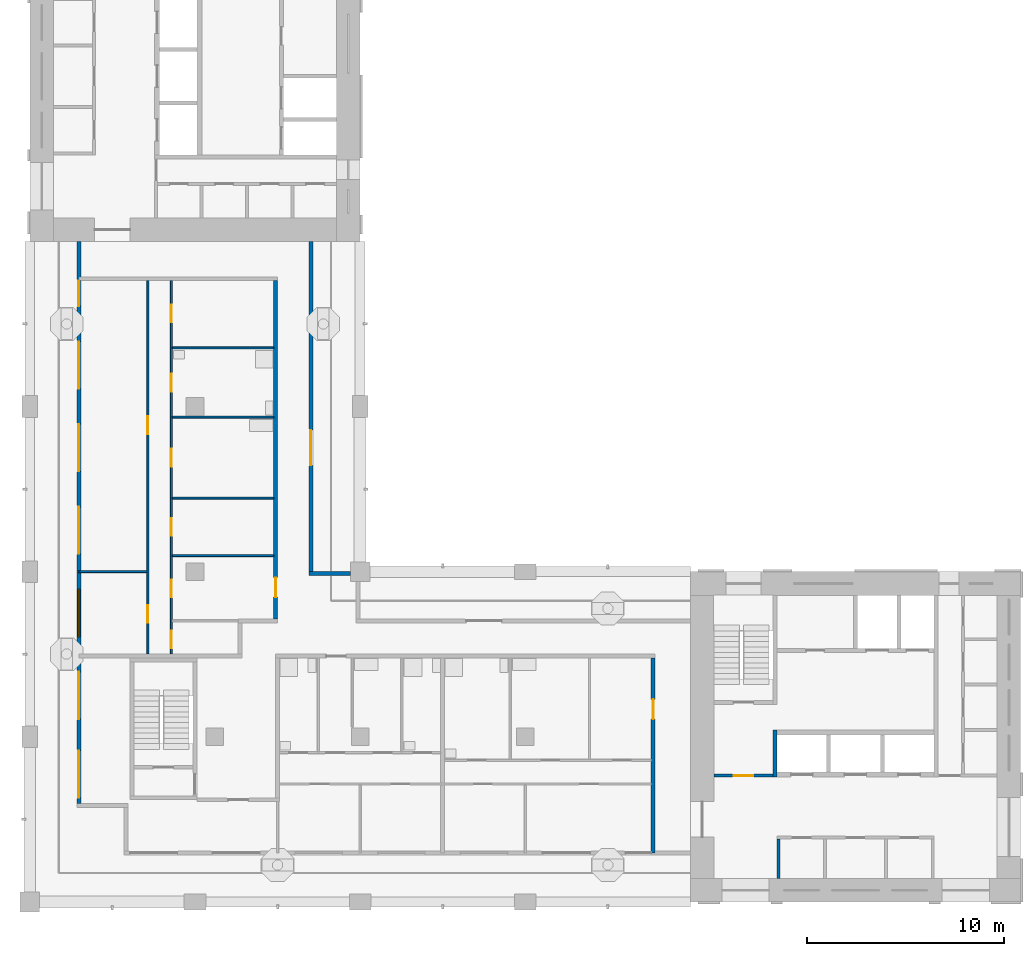
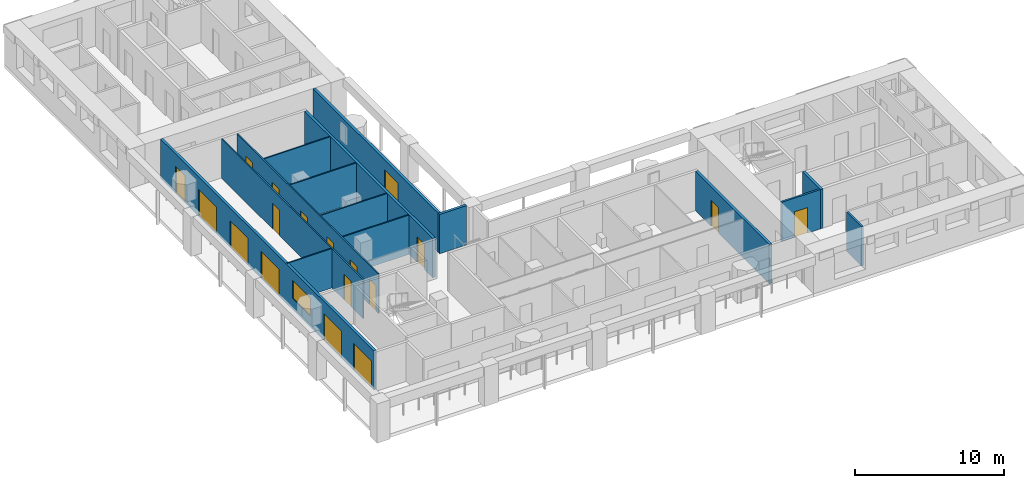
# One storey, part 3 of 12: 18 doors, 15 walls, 1 window, 19 openings.
"""IFC4 building model written with IfcOpenShell, lengths in metres."""

from ifc_helpers import new_model, si_unit, direction, frame, frame_2d, origin, place, context, subcontext, project, spatial, rectangle, extrude, material, layer, layer_set, type_object, element, fill, save


model = new_model("IFC4")

# Units and contexts
model_context = context("Model", 3, precision=1e-05, world=origin(), true_north=direction((0.0, 1.0)))
body_context = subcontext(model_context, "Body", "Model", "MODEL_VIEW")
ifc_project = project(units=[si_unit("LENGTHUNIT", "METRE"), si_unit("AREAUNIT", "SQUARE_METRE"), si_unit("VOLUMEUNIT", "CUBIC_METRE"), si_unit("PLANEANGLEUNIT", "RADIAN"), si_unit("MASSUNIT", "GRAM", prefix="KILO")], contexts=[model_context])

# Site, building, storey
site_placement = place(None, origin())
site = spatial("IfcSite", under=ifc_project, at=site_placement, CompositionType="ELEMENT")
building_placement = place(site_placement, origin())
building = spatial("IfcBuilding", under=site, at=building_placement, Name="Vermilion Gate Residences", CompositionType="ELEMENT")
storey_placement = place(building_placement, frame((0.0, 0.0, 235.199951171875)))
storey = spatial("IfcBuildingStorey", under=building, at=storey_placement, Name="L61", CompositionType="ELEMENT", Elevation=235.199951171875)

# Wall
ifc_material_1 = material(Name="Masonry blockwork", Category="masonry")
ifc_layer_1 = layer(ifc_material_1, 0.14990234375)
ifc_layer_set_1 = layer_set([ifc_layer_1], Name="BLOCKWORK PARTITION 150 EI 120")
wall_type_1 = type_object("IfcWallType", Name="BLOCKWORK PARTITION 150 EI 120", PredefinedType="PARTITIONING", material=ifc_layer_set_1)
wall_1_placement = place(storey_placement, frame((46.47509765625, 9.60009765625, 0.0), z_axis=(0.0, 0.0, 1.0), x_axis=(0.0, 1.0, 0.0)))
element("IfcWall", 1, at=wall_1_placement, inside=storey, type_object=wall_type_1, Name="Core room partition A61-RW-W", PredefinedType="PARTITIONING", context=body_context, shape_type="SweptSolid", body=[
    extrude(rectangle(XDim=2.0, YDim=0.14990234375, at=frame_2d((1.0, 0.0))), origin(), (0.0, 0.0, 1.0), 3.219970703125),
])

# Wall, opening, door
wall_2_placement = place(storey_placement, frame((43.199951171875, 14.824951171875, 0.0), z_axis=(0.0, 0.0, 1.0), x_axis=(1.0, 0.0, 0.0)))
wall_2 = element("IfcWall", 2, at=wall_2_placement, inside=storey, type_object=wall_type_1, Name="Core room partition A61-VW-S", PredefinedType="PARTITIONING", context=body_context, shape_type="SweptSolid", body=[
    extrude(rectangle(XDim=3.0, YDim=0.14990234375, at=frame_2d((1.5, 0.0))), origin(), (0.0, 0.0, 1.0), 3.219970703125),
])
opening_1_placement = place(wall_2_placement, frame((1.0, 0.0, 0.0)))
opening_1 = element("IfcOpeningElement", 3, at=opening_1_placement, cuts=wall_2, Name="Opening DK61011", PredefinedType="OPENING", context=body_context, shape_type="SweptSolid", body=[
    extrude(rectangle(XDim=1.0, YDim=2.10009765625, at=frame_2d((0.5, 1.050048828125))), frame((0.0, 0.0849609375, 0.0), z_axis=(0.0, -1.0, 0.0), x_axis=(1.0, 0.0, 0.0)), (0.0, 0.0, 1.0), 0.169921875),
])
ifc_material_2 = material(Name="Steel", Category="steel")
door_type_1 = type_object("IfcDoorType", Name="FIRE DOOR FD60 1000 X 2100", OperationType="SINGLE_SWING_LEFT", PredefinedType="DOOR", material=ifc_material_2)
door_1_placement = place(opening_1_placement, frame((1.0, 0.0, 0.0), z_axis=(0.0, 0.0, 1.0), x_axis=(-1.0, 0.0, 0.0)))
door_1 = element("IfcDoor", 4, at=door_1_placement, inside=storey, type_object=door_type_1, Name="Stair vestibule door A61", OperationType="SINGLE_SWING_RIGHT", OverallHeight=2.10009765625, OverallWidth=1.0, PredefinedType="DOOR", context=body_context, shape_type="SweptSolid", body=[
    extrude(rectangle(XDim=1.0, YDim=2.10009765625, at=frame_2d((0.5, 1.050048828125))), frame((0.0, 0.02490234375, 0.0), z_axis=(0.0, -1.0, 0.0), x_axis=(1.0, 0.0, 0.0)), (0.0, 0.0, 1.0), 0.050048828125),
])
fill(opening_1, door_1)

# Wall, openings, doors, window
ifc_material_3 = material(Name="Insulated steel stud wall with terracotta rainscreen", Category="masonry")
ifc_layer_2 = layer(ifc_material_3, 0.199951171875)
ifc_layer_set_2 = layer_set([ifc_layer_2], Name="EXTERNAL WALL 200 TERRACOTTA RAINSCREEN")
wall_type_2 = type_object("IfcWallType", Name="EXTERNAL WALL 200 TERRACOTTA RAINSCREEN", PredefinedType="SOLIDWALL", material=ifc_layer_set_2)
wall_3_placement = place(storey_placement, frame((10.89990234375, 42.0, 0.0), z_axis=(0.0, 0.0, 1.0), x_axis=(0.0, -1.0, 0.0)))
wall_3 = element("IfcWall", 5, at=wall_3_placement, inside=storey, type_object=wall_type_2, Name="External wall", PredefinedType="SOLIDWALL", context=body_context, shape_type="SweptSolid", body=[
    extrude(rectangle(XDim=28.60009765625, YDim=0.199951171875, at=frame_2d((14.300048828125, 0.0))), origin(), (0.0, 0.0, 1.0), 3.219970703125),
])
opening_2_placement = place(wall_3_placement, frame((25.89990234375, 0.0, 0.0)))
opening_2 = element("IfcOpeningElement", 6, at=opening_2_placement, cuts=wall_3, Name="Opening DE61001", PredefinedType="OPENING", context=body_context, shape_type="SweptSolid", body=[
    extrude(rectangle(XDim=2.39990234375, YDim=2.199951171875, at=frame_2d((1.199951171875, 1.10009765625))), frame((0.0, 0.10986328125, 0.0), z_axis=(0.0, -1.0, 0.0), x_axis=(1.0, 0.0, 0.0)), (0.0, 0.0, 1.0), 0.219970703125),
])
opening_3_placement = place(wall_3_placement, frame((21.89990234375, 0.0, 0.0)))
opening_3 = element("IfcOpeningElement", 7, at=opening_3_placement, cuts=wall_3, Name="Opening DE61002", PredefinedType="OPENING", context=body_context, shape_type="SweptSolid", body=[
    extrude(rectangle(XDim=2.39990234375, YDim=2.199951171875, at=frame_2d((1.199951171875, 1.10009765625))), frame((0.0, 0.10986328125, 0.0), z_axis=(0.0, -1.0, 0.0), x_axis=(1.0, 0.0, 0.0)), (0.0, 0.0, 1.0), 0.219970703125),
])
opening_4_placement = place(wall_3_placement, frame((17.699951171875, 0.0, 0.89990234375)))
opening_4 = element("IfcOpeningElement", 8, at=opening_4_placement, cuts=wall_3, Name="Opening WE61003", PredefinedType="OPENING", context=body_context, shape_type="SweptSolid", body=[
    extrude(rectangle(XDim=2.39990234375, YDim=1.5, at=frame_2d((1.199951171875, 0.75))), frame((0.0, 0.10986328125, 0.0), z_axis=(0.0, -1.0, 0.0), x_axis=(1.0, 0.0, 0.0)), (0.0, 0.0, 1.0), 0.219970703125),
])
opening_5_placement = place(wall_3_placement, frame((13.5, 0.0, 0.0)))
opening_5 = element("IfcOpeningElement", 9, at=opening_5_placement, cuts=wall_3, Name="Opening DE61004", PredefinedType="OPENING", context=body_context, shape_type="SweptSolid", body=[
    extrude(rectangle(XDim=2.39990234375, YDim=2.199951171875, at=frame_2d((1.199951171875, 1.10009765625))), frame((0.0, 0.10986328125, 0.0), z_axis=(0.0, -1.0, 0.0), x_axis=(1.0, 0.0, 0.0)), (0.0, 0.0, 1.0), 0.219970703125),
])
opening_6_placement = place(wall_3_placement, frame((9.300048828125, 0.0, 0.0)))
opening_6 = element("IfcOpeningElement", 10, at=opening_6_placement, cuts=wall_3, Name="Opening DE61005", PredefinedType="OPENING", context=body_context, shape_type="SweptSolid", body=[
    extrude(rectangle(XDim=2.39990234375, YDim=2.199951171875, at=frame_2d((1.199951171875, 1.10009765625))), frame((0.0, 0.10986328125, 0.0), z_axis=(0.0, -1.0, 0.0), x_axis=(1.0, 0.0, 0.0)), (0.0, 0.0, 1.0), 0.219970703125),
])
opening_7_placement = place(wall_3_placement, frame((5.10009765625, 0.0, 0.0)))
opening_7 = element("IfcOpeningElement", 11, at=opening_7_placement, cuts=wall_3, Name="Opening DE61006", PredefinedType="OPENING", context=body_context, shape_type="SweptSolid", body=[
    extrude(rectangle(XDim=2.39990234375, YDim=2.199951171875, at=frame_2d((1.199951171875, 1.10009765625))), frame((0.0, 0.10986328125, 0.0), z_axis=(0.0, -1.0, 0.0), x_axis=(1.0, 0.0, 0.0)), (0.0, 0.0, 1.0), 0.219970703125),
])
opening_8_placement = place(wall_3_placement, frame((2.0, 0.0, 0.0)))
opening_8 = element("IfcOpeningElement", 12, at=opening_8_placement, cuts=wall_3, Name="Opening DE61007", PredefinedType="OPENING", context=body_context, shape_type="SweptSolid", body=[
    extrude(rectangle(XDim=1.300048828125, YDim=2.199951171875, at=frame_2d((0.64990234375, 1.10009765625))), frame((0.0, 0.10986328125, 0.0), z_axis=(0.0, -1.0, 0.0), x_axis=(1.0, 0.0, 0.0)), (0.0, 0.0, 1.0), 0.219970703125),
])
ifc_material_4 = material(Name="Aluminium and clear glass", Category="aluminium")
door_type_2 = type_object("IfcDoorType", Name="SLIDING GLAZED DOOR 1300 X 2200", OperationType="DOUBLE_DOOR_SLIDING", PredefinedType="DOOR", material=ifc_material_4)
door_2_placement = place(opening_8_placement, origin())
door_2 = element("IfcDoor", 13, at=door_2_placement, inside=storey, type_object=door_type_2, Name="Loggia sliding door", OperationType="DOUBLE_DOOR_SLIDING", OverallHeight=2.199951171875, OverallWidth=1.300048828125, PredefinedType="DOOR", context=body_context, shape_type="SweptSolid", body=[
    extrude(rectangle(XDim=1.300048828125, YDim=2.199951171875, at=frame_2d((0.64990234375, 1.10009765625))), frame((0.0, 0.02490234375, 0.0), z_axis=(0.0, -1.0, 0.0), x_axis=(1.0, 0.0, 0.0)), (0.0, 0.0, 1.0), 0.050048828125),
])
fill(opening_8, door_2)
ifc_material_5 = material(Name="Aluminium and clear glass", Category="aluminium")
door_type_3 = type_object("IfcDoorType", Name="SLIDING GLAZED DOOR 2400 X 2200", OperationType="DOUBLE_DOOR_SLIDING", PredefinedType="DOOR", material=ifc_material_5)
door_3_placement = place(opening_2_placement, origin())
door_3 = element("IfcDoor", 14, at=door_3_placement, inside=storey, type_object=door_type_3, Name="Loggia sliding door", OperationType="DOUBLE_DOOR_SLIDING", OverallHeight=2.199951171875, OverallWidth=2.39990234375, PredefinedType="DOOR", context=body_context, shape_type="SweptSolid", body=[
    extrude(rectangle(XDim=2.39990234375, YDim=2.199951171875, at=frame_2d((1.199951171875, 1.10009765625))), frame((0.0, 0.02490234375, 0.0), z_axis=(0.0, -1.0, 0.0), x_axis=(1.0, 0.0, 0.0)), (0.0, 0.0, 1.0), 0.050048828125),
])
fill(opening_2, door_3)
door_4_placement = place(opening_3_placement, origin())
door_4 = element("IfcDoor", 15, at=door_4_placement, inside=storey, type_object=door_type_3, Name="Loggia sliding door", OperationType="DOUBLE_DOOR_SLIDING", OverallHeight=2.199951171875, OverallWidth=2.39990234375, PredefinedType="DOOR", context=body_context, shape_type="SweptSolid", body=[
    extrude(rectangle(XDim=2.39990234375, YDim=2.199951171875, at=frame_2d((1.199951171875, 1.10009765625))), frame((0.0, 0.02490234375, 0.0), z_axis=(0.0, -1.0, 0.0), x_axis=(1.0, 0.0, 0.0)), (0.0, 0.0, 1.0), 0.050048828125),
])
fill(opening_3, door_4)
door_5_placement = place(opening_5_placement, origin())
door_5 = element("IfcDoor", 16, at=door_5_placement, inside=storey, type_object=door_type_3, Name="Loggia sliding door", OperationType="DOUBLE_DOOR_SLIDING", OverallHeight=2.199951171875, OverallWidth=2.39990234375, PredefinedType="DOOR", context=body_context, shape_type="SweptSolid", body=[
    extrude(rectangle(XDim=2.39990234375, YDim=2.199951171875, at=frame_2d((1.199951171875, 1.10009765625))), frame((0.0, 0.02490234375, 0.0), z_axis=(0.0, -1.0, 0.0), x_axis=(1.0, 0.0, 0.0)), (0.0, 0.0, 1.0), 0.050048828125),
])
fill(opening_5, door_5)
door_6_placement = place(opening_6_placement, origin())
door_6 = element("IfcDoor", 17, at=door_6_placement, inside=storey, type_object=door_type_3, Name="Loggia sliding door", OperationType="DOUBLE_DOOR_SLIDING", OverallHeight=2.199951171875, OverallWidth=2.39990234375, PredefinedType="DOOR", context=body_context, shape_type="SweptSolid", body=[
    extrude(rectangle(XDim=2.39990234375, YDim=2.199951171875, at=frame_2d((1.199951171875, 1.10009765625))), frame((0.0, 0.02490234375, 0.0), z_axis=(0.0, -1.0, 0.0), x_axis=(1.0, 0.0, 0.0)), (0.0, 0.0, 1.0), 0.050048828125),
])
fill(opening_6, door_6)
door_7_placement = place(opening_7_placement, origin())
door_7 = element("IfcDoor", 18, at=door_7_placement, inside=storey, type_object=door_type_3, Name="Loggia sliding door", OperationType="DOUBLE_DOOR_SLIDING", OverallHeight=2.199951171875, OverallWidth=2.39990234375, PredefinedType="DOOR", context=body_context, shape_type="SweptSolid", body=[
    extrude(rectangle(XDim=2.39990234375, YDim=2.199951171875, at=frame_2d((1.199951171875, 1.10009765625))), frame((0.0, 0.02490234375, 0.0), z_axis=(0.0, -1.0, 0.0), x_axis=(1.0, 0.0, 0.0)), (0.0, 0.0, 1.0), 0.050048828125),
])
fill(opening_7, door_7)
ifc_material_6 = material(Name="Aluminium and clear glass", Category="aluminium")
window_type = type_object("IfcWindowType", Name="WINDOW 2400 X 1500", PartitioningType="SINGLE_PANEL", PredefinedType="WINDOW", material=ifc_material_6)
window_placement = place(opening_4_placement, origin())
window = element("IfcWindow", 19, at=window_placement, inside=storey, type_object=window_type, Name="Window", OverallHeight=1.5, OverallWidth=2.39990234375, PartitioningType="SINGLE_PANEL", PredefinedType="WINDOW", context=body_context, shape_type="SweptSolid", body=[
    extrude(rectangle(XDim=2.39990234375, YDim=1.5, at=frame_2d((1.199951171875, 0.75))), frame((0.0, 0.030029296875, 0.0), z_axis=(0.0, -1.0, 0.0), x_axis=(1.0, 0.0, 0.0)), (0.0, 0.0, 1.0), 0.06005859375),
])
fill(opening_4, window)

# Wall
wall_4_placement = place(storey_placement, frame((24.699951171875, 25.10009765625, 0.0), z_axis=(0.0, 0.0, 1.0), x_axis=(-1.0, 0.0, 0.0)))
element("IfcWall", 20, at=wall_4_placement, inside=storey, type_object=wall_type_2, Name="External wall", PredefinedType="SOLIDWALL", context=body_context, shape_type="SweptSolid", body=[
    extrude(rectangle(XDim=2.099853515625, YDim=0.199951171875, at=frame_2d((1.0498046875, 0.0))), origin(), (0.0, 0.0, 1.0), 3.219970703125),
])

# Wall, opening, door
wall_5_placement = place(storey_placement, frame((22.699951171875, 25.199951171875, 0.0), z_axis=(0.0, 0.0, 1.0), x_axis=(0.0, 1.0, 0.0)))
wall_5 = element("IfcWall", 21, at=wall_5_placement, inside=storey, type_object=wall_type_2, Name="External wall", PredefinedType="SOLIDWALL", context=body_context, shape_type="SweptSolid", body=[
    extrude(rectangle(XDim=16.800048828125, YDim=0.199951171875, at=frame_2d((8.39990234375, 0.0))), origin(), (0.0, 0.0, 1.0), 3.219970703125),
])
opening_9_placement = place(wall_5_placement, frame((5.39990234375, 0.0, 0.0)))
opening_9 = element("IfcOpeningElement", 22, at=opening_9_placement, cuts=wall_5, Name="Opening DE61016", PredefinedType="OPENING", context=body_context, shape_type="SweptSolid", body=[
    extrude(rectangle(XDim=1.800048828125, YDim=2.39990234375, at=frame_2d((0.89990234375, 1.199951171875))), frame((0.0, 0.10986328125, 0.0), z_axis=(0.0, -1.0, 0.0), x_axis=(1.0, 0.0, 0.0)), (0.0, 0.0, 1.0), 0.219970703125),
])
ifc_material_7 = material(Name="Aluminium and clear glass", Category="aluminium")
door_type_4 = type_object("IfcDoorType", Name="GLAZED EXTERNAL DOOR 1800 X 2400", OperationType="DOUBLE_DOOR_SINGLE_SWING", PredefinedType="DOOR", material=ifc_material_7)
door_8_placement = place(opening_9_placement, frame((1.800048828125, 0.0, 0.0), z_axis=(0.0, 0.0, 1.0), x_axis=(-1.0, 0.0, 0.0)))
door_8 = element("IfcDoor", 23, at=door_8_placement, inside=storey, type_object=door_type_4, Name="Gallery door", OperationType="DOUBLE_DOOR_SINGLE_SWING", OverallHeight=2.39990234375, OverallWidth=1.800048828125, PredefinedType="DOOR", context=body_context, shape_type="SweptSolid", body=[
    extrude(rectangle(XDim=1.800048828125, YDim=2.39990234375, at=frame_2d((0.89990234375, 1.199951171875))), frame((0.0, 0.02490234375, 0.0), z_axis=(0.0, -1.0, 0.0), x_axis=(1.0, 0.0, 0.0)), (0.0, 0.0, 1.0), 0.050048828125),
])
fill(opening_9, door_8)

# Walls
ifc_material_8 = material(Name="Plasterboard on steel studs", Category="steel")
ifc_layer_3 = layer(ifc_material_8, 0.10009765625)
ifc_layer_set_3 = layer_set([ifc_layer_3], Name="PARTITION 100")
wall_type_3 = type_object("IfcWallType", Name="PARTITION 100", PredefinedType="PARTITIONING", material=ifc_layer_set_3)
wall_6_placement = place(storey_placement, frame((10.89990234375, 25.199951171875, 0.0), z_axis=(0.0, 0.0, 1.0), x_axis=(1.0, 0.0, 0.0)))
element("IfcWall", 24, at=wall_6_placement, inside=storey, type_object=wall_type_3, Name="Partition", PredefinedType="PARTITIONING", context=body_context, shape_type="SweptSolid", body=[
    extrude(rectangle(XDim=3.4501953125, YDim=0.10009765625, at=frame_2d((1.72509765625, 0.0))), origin(), (0.0, 0.0, 1.0), 3.219970703125),
])
for number, where, z_axis, x_axis, name in (
    (25, (15.64990234375, 26.02001953125, 0.0), (0.0, 0.0, 1.0), (1.0, 0.0, 0.0), "Partition"),
    (26, (15.64990234375, 28.93994140625, 0.0), (0.0, 0.0, 1.0), (1.0, 0.0, 0.0), "Partition"),
    (27, (15.64990234375, 33.06005859375, 0.0), (0.0, 0.0, 1.0), (1.0, 0.0, 0.0), "Partition"),
    (28, (15.64990234375, 36.580078125, 0.0), (0.0, 0.0, 1.0), (1.0, 0.0, 0.0), "Partition"),
):
    element("IfcWall", number, at=place(storey_placement, frame(where, z_axis=z_axis, x_axis=x_axis)), inside=storey, type_object=wall_type_3, Name=name, PredefinedType="PARTITIONING", context=body_context, shape_type="SweptSolid", body=[
        extrude(rectangle(XDim=5.150146484375, YDim=0.10009765625, at=frame_2d((2.5751953125, 0.0))), origin(), (0.0, 0.0, 1.0), 3.219970703125),
    ])

# Wall, openings, doors
wall_7_placement = place(storey_placement, frame((14.39990234375, 21.0, 0.0), z_axis=(0.0, 0.0, 1.0), x_axis=(0.0, 1.0, 0.0)))
wall_7 = element("IfcWall", 29, at=wall_7_placement, inside=storey, type_object=wall_type_3, Name="Partition", PredefinedType="PARTITIONING", context=body_context, shape_type="SweptSolid", body=[
    extrude(rectangle(XDim=19.0, YDim=0.10009765625, at=frame_2d((9.5, 0.0))), origin(), (0.0, 0.0, 1.0), 3.219970703125),
])
opening_10_placement = place(wall_7_placement, frame((1.60009765625, 0.0, 0.0)))
opening_10 = element("IfcOpeningElement", 30, at=opening_10_placement, cuts=wall_7, Name="Opening DA61014", PredefinedType="OPENING", context=body_context, shape_type="SweptSolid", body=[
    extrude(rectangle(XDim=0.89990234375, YDim=2.10009765625, at=frame_2d((0.449951171875, 1.050048828125))), frame((0.0, 0.06005859375, 0.0), z_axis=(0.0, -1.0, 0.0), x_axis=(1.0, 0.0, 0.0)), (0.0, 0.0, 1.0), 0.1201171875),
])
opening_11_placement = place(wall_7_placement, frame((11.199951171875, 0.0, 0.0)))
opening_11 = element("IfcOpeningElement", 31, at=opening_11_placement, cuts=wall_7, Name="Opening DA61015", PredefinedType="OPENING", context=body_context, shape_type="SweptSolid", body=[
    extrude(rectangle(XDim=0.89990234375, YDim=2.10009765625, at=frame_2d((0.449951171875, 1.050048828125))), frame((0.0, 0.06005859375, 0.0), z_axis=(0.0, -1.0, 0.0), x_axis=(1.0, 0.0, 0.0)), (0.0, 0.0, 1.0), 0.1201171875),
])
ifc_material_9 = material(Name="Timber", Category="wood")
door_type_5 = type_object("IfcDoorType", Name="INTERIOR DOOR 900 X 2100", OperationType="SINGLE_SWING_LEFT", PredefinedType="DOOR", material=ifc_material_9)
door_9_placement = place(opening_10_placement, origin())
door_9 = element("IfcDoor", 32, at=door_9_placement, inside=storey, type_object=door_type_5, Name="Interior door", OperationType="SINGLE_SWING_LEFT", OverallHeight=2.10009765625, OverallWidth=0.89990234375, PredefinedType="DOOR", context=body_context, shape_type="SweptSolid", body=[
    extrude(rectangle(XDim=0.89990234375, YDim=2.10009765625, at=frame_2d((0.449951171875, 1.050048828125))), frame((0.0, 0.02490234375, 0.0), z_axis=(0.0, -1.0, 0.0), x_axis=(1.0, 0.0, 0.0)), (0.0, 0.0, 1.0), 0.050048828125),
])
fill(opening_10, door_9)
door_10_placement = place(opening_11_placement, origin())
door_10 = element("IfcDoor", 33, at=door_10_placement, inside=storey, type_object=door_type_5, Name="Interior door", OperationType="SINGLE_SWING_LEFT", OverallHeight=2.10009765625, OverallWidth=0.89990234375, PredefinedType="DOOR", context=body_context, shape_type="SweptSolid", body=[
    extrude(rectangle(XDim=0.89990234375, YDim=2.10009765625, at=frame_2d((0.449951171875, 1.050048828125))), frame((0.0, 0.02490234375, 0.0), z_axis=(0.0, -1.0, 0.0), x_axis=(1.0, 0.0, 0.0)), (0.0, 0.0, 1.0), 0.050048828125),
])
fill(opening_11, door_10)

wall_8_placement = place(storey_placement, frame((15.60009765625, 21.0, 0.0), z_axis=(0.0, 0.0, 1.0), x_axis=(0.0, 1.0, 0.0)))
wall_8 = element("IfcWall", 34, at=wall_8_placement, inside=storey, type_object=wall_type_3, Name="Partition", PredefinedType="PARTITIONING", context=body_context, shape_type="SweptSolid", body=[
    extrude(rectangle(XDim=19.0, YDim=0.10009765625, at=frame_2d((9.5, 0.0))), origin(), (0.0, 0.0, 1.0), 3.219970703125),
])
opening_12_placement = place(wall_8_placement, frame((2.89990234375, 0.0, 0.0)))
opening_12 = element("IfcOpeningElement", 35, at=opening_12_placement, cuts=wall_8, Name="Opening DA61016", PredefinedType="OPENING", context=body_context, shape_type="SweptSolid", body=[
    extrude(rectangle(XDim=0.89990234375, YDim=2.10009765625, at=frame_2d((0.449951171875, 1.050048828125))), frame((0.0, 0.06005859375, 0.0), z_axis=(0.0, -1.0, 0.0), x_axis=(1.0, 0.0, 0.0)), (0.0, 0.0, 1.0), 0.1201171875),
])
opening_13_placement = place(wall_8_placement, frame((0.300048828125, 0.0, 0.0)))
opening_13 = element("IfcOpeningElement", 36, at=opening_13_placement, cuts=wall_8, Name="Opening DA61017", PredefinedType="OPENING", context=body_context, shape_type="SweptSolid", body=[
    extrude(rectangle(XDim=0.89990234375, YDim=2.10009765625, at=frame_2d((0.449951171875, 1.050048828125))), frame((0.0, 0.06005859375, 0.0), z_axis=(0.0, -1.0, 0.0), x_axis=(1.0, 0.0, 0.0)), (0.0, 0.0, 1.0), 0.1201171875),
])
opening_14_placement = place(wall_8_placement, frame((6.02001953125, 0.0, 0.0)))
opening_14 = element("IfcOpeningElement", 37, at=opening_14_placement, cuts=wall_8, Name="Opening DA61018", PredefinedType="OPENING", context=body_context, shape_type="SweptSolid", body=[
    extrude(rectangle(XDim=0.89990234375, YDim=2.10009765625, at=frame_2d((0.449951171875, 1.050048828125))), frame((0.0, 0.06005859375, 0.0), z_axis=(0.0, -1.0, 0.0), x_axis=(1.0, 0.0, 0.0)), (0.0, 0.0, 1.0), 0.1201171875),
])
opening_15_placement = place(wall_8_placement, frame((9.5400390625, 0.0, 0.0)))
opening_15 = element("IfcOpeningElement", 38, at=opening_15_placement, cuts=wall_8, Name="Opening DA61019", PredefinedType="OPENING", context=body_context, shape_type="SweptSolid", body=[
    extrude(rectangle(XDim=0.89990234375, YDim=2.10009765625, at=frame_2d((0.449951171875, 1.050048828125))), frame((0.0, 0.06005859375, 0.0), z_axis=(0.0, -1.0, 0.0), x_axis=(1.0, 0.0, 0.0)), (0.0, 0.0, 1.0), 0.1201171875),
])
opening_16_placement = place(wall_8_placement, frame((13.360107421875, 0.0, 0.0)))
opening_16 = element("IfcOpeningElement", 39, at=opening_16_placement, cuts=wall_8, Name="Opening DA61020", PredefinedType="OPENING", context=body_context, shape_type="SweptSolid", body=[
    extrude(rectangle(XDim=0.89990234375, YDim=2.10009765625, at=frame_2d((0.449951171875, 1.050048828125))), frame((0.0, 0.06005859375, 0.0), z_axis=(0.0, -1.0, 0.0), x_axis=(1.0, 0.0, 0.0)), (0.0, 0.0, 1.0), 0.1201171875),
])
opening_17_placement = place(wall_8_placement, frame((16.8798828125, 0.0, 0.0)))
opening_17 = element("IfcOpeningElement", 40, at=opening_17_placement, cuts=wall_8, Name="Opening DA61021", PredefinedType="OPENING", context=body_context, shape_type="SweptSolid", body=[
    extrude(rectangle(XDim=0.89990234375, YDim=2.10009765625, at=frame_2d((0.449951171875, 1.050048828125))), frame((0.0, 0.06005859375, 0.0), z_axis=(0.0, -1.0, 0.0), x_axis=(1.0, 0.0, 0.0)), (0.0, 0.0, 1.0), 0.1201171875),
])
door_11_placement = place(opening_12_placement, frame((0.89990234375, 0.0, 0.0), z_axis=(0.0, 0.0, 1.0), x_axis=(-1.0, 0.0, 0.0)))
door_11 = element("IfcDoor", 41, at=door_11_placement, inside=storey, type_object=door_type_5, Name="Interior door", OperationType="SINGLE_SWING_RIGHT", OverallHeight=2.10009765625, OverallWidth=0.89990234375, PredefinedType="DOOR", context=body_context, shape_type="SweptSolid", body=[
    extrude(rectangle(XDim=0.89990234375, YDim=2.10009765625, at=frame_2d((0.449951171875, 1.050048828125))), frame((0.0, 0.02490234375, 0.0), z_axis=(0.0, -1.0, 0.0), x_axis=(1.0, 0.0, 0.0)), (0.0, 0.0, 1.0), 0.050048828125),
])
fill(opening_12, door_11)
door_12_placement = place(opening_13_placement, frame((0.89990234375, 0.0, 0.0), z_axis=(0.0, 0.0, 1.0), x_axis=(-1.0, 0.0, 0.0)))
door_12 = element("IfcDoor", 42, at=door_12_placement, inside=storey, type_object=door_type_5, Name="Interior door", OperationType="SINGLE_SWING_RIGHT", OverallHeight=2.10009765625, OverallWidth=0.89990234375, PredefinedType="DOOR", context=body_context, shape_type="SweptSolid", body=[
    extrude(rectangle(XDim=0.89990234375, YDim=2.10009765625, at=frame_2d((0.449951171875, 1.050048828125))), frame((0.0, 0.02490234375, 0.0), z_axis=(0.0, -1.0, 0.0), x_axis=(1.0, 0.0, 0.0)), (0.0, 0.0, 1.0), 0.050048828125),
])
fill(opening_13, door_12)
door_13_placement = place(opening_14_placement, frame((0.89990234375, 0.0, 0.0), z_axis=(0.0, 0.0, 1.0), x_axis=(-1.0, 0.0, 0.0)))
door_13 = element("IfcDoor", 43, at=door_13_placement, inside=storey, type_object=door_type_5, Name="Interior door", OperationType="SINGLE_SWING_RIGHT", OverallHeight=2.10009765625, OverallWidth=0.89990234375, PredefinedType="DOOR", context=body_context, shape_type="SweptSolid", body=[
    extrude(rectangle(XDim=0.89990234375, YDim=2.10009765625, at=frame_2d((0.449951171875, 1.050048828125))), frame((0.0, 0.02490234375, 0.0), z_axis=(0.0, -1.0, 0.0), x_axis=(1.0, 0.0, 0.0)), (0.0, 0.0, 1.0), 0.050048828125),
])
fill(opening_14, door_13)
door_14_placement = place(opening_15_placement, frame((0.89990234375, 0.0, 0.0), z_axis=(0.0, 0.0, 1.0), x_axis=(-1.0, 0.0, 0.0)))
door_14 = element("IfcDoor", 44, at=door_14_placement, inside=storey, type_object=door_type_5, Name="Interior door", OperationType="SINGLE_SWING_RIGHT", OverallHeight=2.10009765625, OverallWidth=0.89990234375, PredefinedType="DOOR", context=body_context, shape_type="SweptSolid", body=[
    extrude(rectangle(XDim=0.89990234375, YDim=2.10009765625, at=frame_2d((0.449951171875, 1.050048828125))), frame((0.0, 0.02490234375, 0.0), z_axis=(0.0, -1.0, 0.0), x_axis=(1.0, 0.0, 0.0)), (0.0, 0.0, 1.0), 0.050048828125),
])
fill(opening_15, door_14)
door_15_placement = place(opening_16_placement, frame((0.89990234375, 0.0, 0.0), z_axis=(0.0, 0.0, 1.0), x_axis=(-1.0, 0.0, 0.0)))
door_15 = element("IfcDoor", 45, at=door_15_placement, inside=storey, type_object=door_type_5, Name="Interior door", OperationType="SINGLE_SWING_LEFT", OverallHeight=2.10009765625, OverallWidth=0.89990234375, PredefinedType="DOOR", context=body_context, shape_type="SweptSolid", body=[
    extrude(rectangle(XDim=0.89990234375, YDim=2.10009765625, at=frame_2d((0.449951171875, 1.050048828125))), frame((0.0, 0.02490234375, 0.0), z_axis=(0.0, -1.0, 0.0), x_axis=(1.0, 0.0, 0.0)), (0.0, 0.0, 1.0), 0.050048828125),
])
fill(opening_16, door_15)
door_16_placement = place(opening_17_placement, frame((0.89990234375, 0.0, 0.0), z_axis=(0.0, 0.0, 1.0), x_axis=(-1.0, 0.0, 0.0)))
door_16 = element("IfcDoor", 46, at=door_16_placement, inside=storey, type_object=door_type_5, Name="Interior door", OperationType="SINGLE_SWING_LEFT", OverallHeight=2.10009765625, OverallWidth=0.89990234375, PredefinedType="DOOR", context=body_context, shape_type="SweptSolid", body=[
    extrude(rectangle(XDim=0.89990234375, YDim=2.10009765625, at=frame_2d((0.449951171875, 1.050048828125))), frame((0.0, 0.02490234375, 0.0), z_axis=(0.0, -1.0, 0.0), x_axis=(1.0, 0.0, 0.0)), (0.0, 0.0, 1.0), 0.050048828125),
])
fill(opening_17, door_16)

# Wall, opening, door
ifc_material_10 = material(Name="Fire-rated plasterboard on steel studs", Category="steel")
ifc_layer_4 = layer(ifc_material_10, 0.199951171875)
ifc_layer_set_4 = layer_set([ifc_layer_4], Name="PARTY WALL 200 EI 120")
wall_type_4 = type_object("IfcWallType", Name="PARTY WALL 200 EI 120", PredefinedType="PARTITIONING", material=ifc_layer_set_4)
wall_9_placement = place(storey_placement, frame((20.89990234375, 22.800048828125, 0.0), z_axis=(0.0, 0.0, 1.0), x_axis=(0.0, 1.0, 0.0)))
wall_9 = element("IfcWall", 47, at=wall_9_placement, inside=storey, type_object=wall_type_4, Name="Party and corridor wall", PredefinedType="PARTITIONING", context=body_context, shape_type="SweptSolid", body=[
    extrude(rectangle(XDim=17.199951171875, YDim=0.199951171875, at=frame_2d((8.60009765625, 0.0))), origin(), (0.0, 0.0, 1.0), 3.219970703125),
])
opening_18_placement = place(wall_9_placement, frame((1.10009765625, 0.0, 0.0)))
opening_18 = element("IfcOpeningElement", 48, at=opening_18_placement, cuts=wall_9, Name="Opening DA61022", PredefinedType="OPENING", context=body_context, shape_type="SweptSolid", body=[
    extrude(rectangle(XDim=1.0, YDim=2.10009765625, at=frame_2d((0.5, 1.050048828125))), frame((0.0, 0.10986328125, 0.0), z_axis=(0.0, -1.0, 0.0), x_axis=(1.0, 0.0, 0.0)), (0.0, 0.0, 1.0), 0.219970703125),
])
ifc_material_11 = material(Name="Steel", Category="steel")
door_type_6 = type_object("IfcDoorType", Name="ENTRANCE DOOR 1000 X 2100 FD30", OperationType="SINGLE_SWING_LEFT", PredefinedType="DOOR", material=ifc_material_11)
door_17_placement = place(opening_18_placement, origin())
door_17 = element("IfcDoor", 49, at=door_17_placement, inside=storey, type_object=door_type_6, Name="Entrance door", OperationType="SINGLE_SWING_RIGHT", OverallHeight=2.10009765625, OverallWidth=1.0, PredefinedType="DOOR", context=body_context, shape_type="SweptSolid", body=[
    extrude(rectangle(XDim=1.0, YDim=2.10009765625, at=frame_2d((0.5, 1.050048828125))), frame((0.0, 0.02490234375, 0.0), z_axis=(0.0, -1.0, 0.0), x_axis=(1.0, 0.0, 0.0)), (0.0, 0.0, 1.0), 0.050048828125),
])
fill(opening_18, door_17)

wall_10_placement = place(storey_placement, frame((40.10009765625, 10.89990234375, 0.0), z_axis=(0.0, 0.0, 1.0), x_axis=(0.0, 1.0, 0.0)))
wall_10 = element("IfcWall", 50, at=wall_10_placement, inside=storey, type_object=wall_type_4, Name="Party and corridor wall", PredefinedType="PARTITIONING", context=body_context, shape_type="SweptSolid", body=[
    extrude(rectangle(XDim=9.900146484375, YDim=0.199951171875, at=frame_2d((4.9501953125, 0.0))), origin(), (0.0, 0.0, 1.0), 3.219970703125),
])
opening_19_placement = place(wall_10_placement, frame((6.800048828125, 0.0, 0.0)))
opening_19 = element("IfcOpeningElement", 51, at=opening_19_placement, cuts=wall_10, Name="Opening DA61023", PredefinedType="OPENING", context=body_context, shape_type="SweptSolid", body=[
    extrude(rectangle(XDim=1.0, YDim=2.10009765625, at=frame_2d((0.5, 1.050048828125))), frame((0.0, 0.10986328125, 0.0), z_axis=(0.0, -1.0, 0.0), x_axis=(1.0, 0.0, 0.0)), (0.0, 0.0, 1.0), 0.219970703125),
])
door_18_placement = place(opening_19_placement, origin())
door_18 = element("IfcDoor", 52, at=door_18_placement, inside=storey, type_object=door_type_6, Name="Entrance door", OperationType="SINGLE_SWING_LEFT", OverallHeight=2.10009765625, OverallWidth=1.0, PredefinedType="DOOR", context=body_context, shape_type="SweptSolid", body=[
    extrude(rectangle(XDim=1.0, YDim=2.10009765625, at=frame_2d((0.5, 1.050048828125))), frame((0.0, 0.02490234375, 0.0), z_axis=(0.0, -1.0, 0.0), x_axis=(1.0, 0.0, 0.0)), (0.0, 0.0, 1.0), 0.050048828125),
])
fill(opening_19, door_18)

# Wall
ifc_material_12 = material(Name="Concrete C60", Category="concrete")
ifc_layer_5 = layer(ifc_material_12, 0.199951171875)
ifc_layer_set_5 = layer_set([ifc_layer_5], Name="RC CORE INTERNAL WALL 200 C60")
wall_type_5 = type_object("IfcWallType", Name="RC CORE INTERNAL WALL 200 C60", PredefinedType="SHEAR", material=ifc_layer_set_5)
wall_11_placement = place(storey_placement, frame((46.300048828125, 14.75, 0.0), z_axis=(0.0, 0.0, 1.0), x_axis=(0.0, 1.0, 0.0)))
element("IfcWall", 53, at=wall_11_placement, inside=storey, type_object=wall_type_5, Name="Core internal wall A61-WDIV1", PredefinedType="SHEAR", context=body_context, shape_type="SweptSolid", body=[
    extrude(rectangle(XDim=2.39990234375, YDim=0.199951171875, at=frame_2d((1.199951171875, 0.0))), origin(), (0.0, 0.0, 1.0), 3.219970703125),
])

save(model, "model.ifc")
